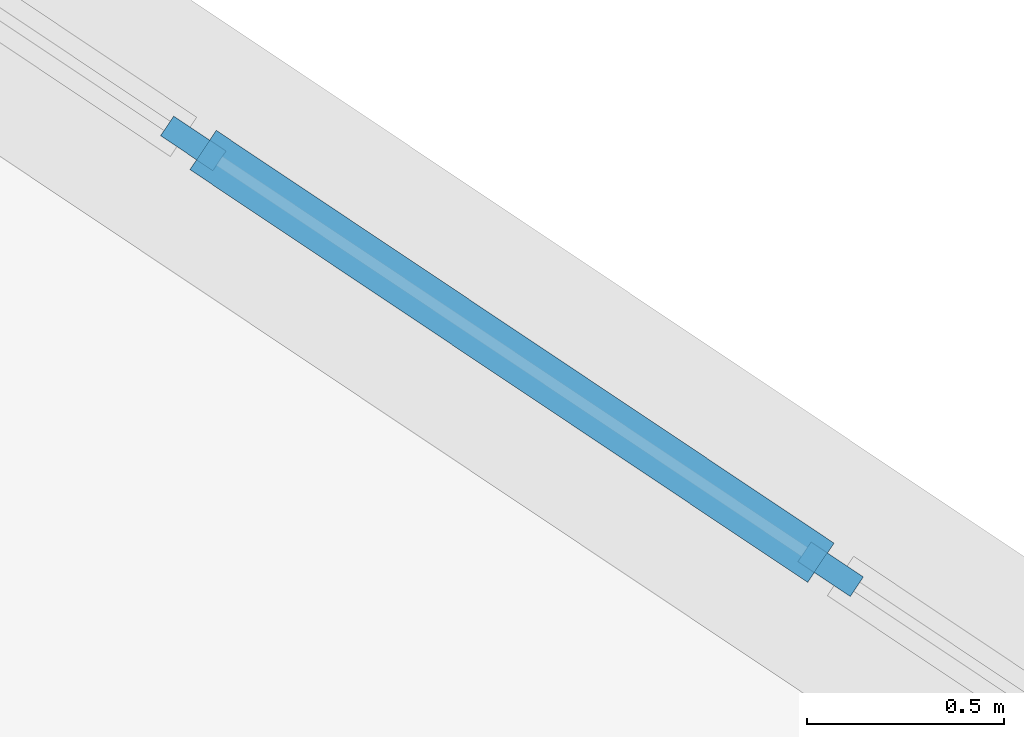
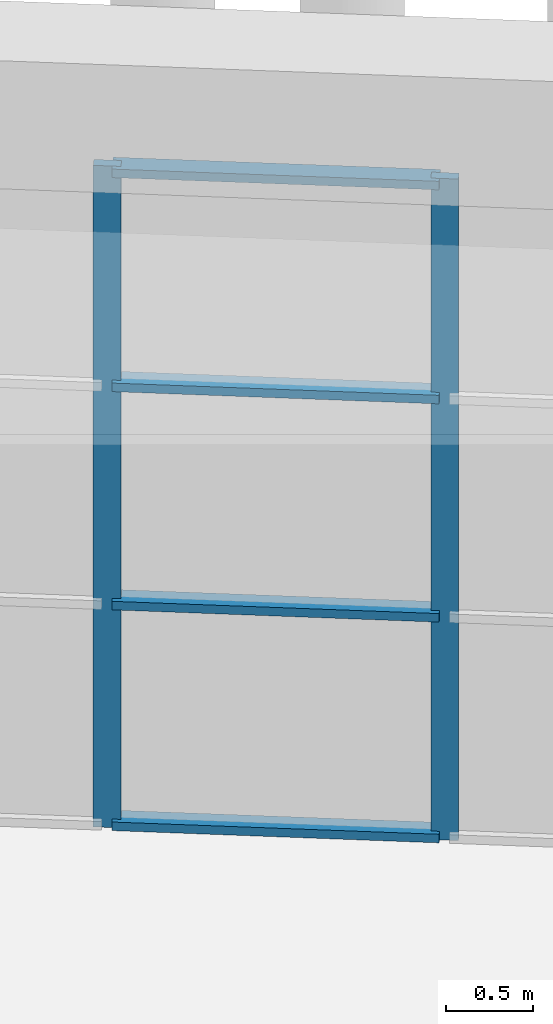
# One storey, part 94 of 226: 6 members, 1 element without a shape of its own.
"""IFC4 building model written with IfcOpenShell, lengths in metres."""

from ifc_helpers import new_model, si_unit, direction, frame, origin, origin_2d, place, context, subcontext, project, spatial, rectangle, extrude, material, material_profile, profile_set, type_object, element, aggregate, save


model = new_model("IFC4")

# Units and contexts
model_context = context("Model", 3, precision=1e-05, world=origin(), true_north=direction((0.0, 1.0)))
body_context = subcontext(model_context, "Body", "Model", "MODEL_VIEW")
ifc_project = project(units=[si_unit("LENGTHUNIT", "METRE"), si_unit("AREAUNIT", "SQUARE_METRE"), si_unit("VOLUMEUNIT", "CUBIC_METRE"), si_unit("PLANEANGLEUNIT", "RADIAN"), si_unit("MASSUNIT", "GRAM", prefix="KILO")], contexts=[model_context])

# Site, building, storey
site_placement = place(None, origin())
site = spatial("IfcSite", under=ifc_project, at=site_placement, CompositionType="ELEMENT")
building_placement = place(site_placement, origin())
building = spatial("IfcBuilding", under=site, at=building_placement, Name="Ceibo Conservatory and Research Tower", CompositionType="ELEMENT")
storey_placement = place(building_placement, origin())
storey = spatial("IfcBuildingStorey", under=building, at=storey_placement, Name="L00", CompositionType="ELEMENT", Elevation=0.0)

# Curtain wall, members
ifc_material_1 = material(Name="Aluminium and glass", Category="aluminium")
curtain_wall_type = type_object("IfcCurtainWallType", Name="Pavilion curtain wall", PredefinedType="NOTDEFINED", material=ifc_material_1)
curtain_wall_placement = place(storey_placement, origin())
curtain_wall = element("IfcCurtainWall", 1, at=curtain_wall_placement, inside=storey, type_object=curtain_wall_type, Name="Pavilion curtain wall VC-CW03", PredefinedType="NOTDEFINED")
ifc_material_2 = material(Name="Aluminium", Category="aluminium")
ifc_material_profile_1 = material_profile(ifc_material_2, rectangle(XDim=0.06005859375, YDim=0.159912109375, at=origin_2d()), Name="AL 60x160")
ifc_profile_set_1 = profile_set([ifc_material_profile_1], Name="Aluminium")
member_type_1 = type_object("IfcMemberType", Name="Pavilion mullion 60x160", PredefinedType="MULLION", material=ifc_profile_set_1)
member_1_placement = place(storey_placement, frame((184.596435546875, 55.579833984375, 0.0), z_axis=(0.0, 0.0, 1.0), x_axis=(-0.555570267906, -0.831469588992, 0.0)))
member_1 = element("IfcMember", 2, at=member_1_placement, type_object=member_type_1, Name="VC-CW03 mullion 2", PredefinedType="MULLION", context=body_context, shape_type="SweptSolid", body=[
    extrude(rectangle(XDim=0.06005859375, YDim=0.159912109375, at=origin_2d()), origin(), (0.0, 0.0, 1.0), 4.64892578125),
])
member_2_placement = place(storey_placement, frame((182.97705078125, 56.661865234375, 0.0), z_axis=(0.0, 0.0, 1.0), x_axis=(-0.555570267906, -0.831469588992, 0.0)))
member_2 = element("IfcMember", 3, at=member_2_placement, type_object=member_type_1, Name="VC-CW03 mullion 3", PredefinedType="MULLION", context=body_context, shape_type="SweptSolid", body=[
    extrude(rectangle(XDim=0.06005859375, YDim=0.159912109375, at=origin_2d()), origin(), (0.0, 0.0, 1.0), 4.64892578125),
])
ifc_material_profile_2 = material_profile(ifc_material_2, rectangle(XDim=0.1201171875, YDim=0.06005859375, at=origin_2d()), Name="AL 60x120")
ifc_profile_set_2 = profile_set([ifc_material_profile_2], Name="Aluminium")
member_type_2 = type_object("IfcMemberType", Name="Pavilion transom 60x120", PredefinedType="USERDEFINED", material=ifc_profile_set_2)
member_3_placement = place(storey_placement, frame((184.571533203125, 55.596435546875, 0.030029296875), z_axis=(-0.831512654794, 0.555505809977, 0.0), x_axis=(-0.555505809977, -0.831512654794, 0.0)))
member_3 = element("IfcMember", 4, at=member_3_placement, type_object=member_type_2, Name="VC-CW03 transom 2.1", ObjectType="TRANSOM", PredefinedType="USERDEFINED", context=body_context, shape_type="SweptSolid", body=[
    extrude(rectangle(XDim=0.1201171875, YDim=0.06005859375, at=origin_2d()), origin(), (0.0, 0.0, 1.0), 1.8876953125),
])
member_4_placement = place(storey_placement, frame((184.571533203125, 55.596435546875, 1.5810546875), z_axis=(-0.831512654794, 0.555505809977, 0.0), x_axis=(-0.555505809977, -0.831512654794, 0.0)))
member_4 = element("IfcMember", 5, at=member_4_placement, type_object=member_type_2, Name="VC-CW03 transom 2.2", ObjectType="TRANSOM", PredefinedType="USERDEFINED", context=body_context, shape_type="SweptSolid", body=[
    extrude(rectangle(XDim=0.1201171875, YDim=0.06005859375, at=origin_2d()), origin(), (0.0, 0.0, 1.0), 1.8876953125),
])
member_5_placement = place(storey_placement, frame((184.571533203125, 55.596435546875, 3.114990234375), z_axis=(-0.831512654794, 0.555505809977, 0.0), x_axis=(-0.555505809977, -0.831512654794, 0.0)))
member_5 = element("IfcMember", 6, at=member_5_placement, type_object=member_type_2, Name="VC-CW03 transom 2.3", ObjectType="TRANSOM", PredefinedType="USERDEFINED", context=body_context, shape_type="SweptSolid", body=[
    extrude(rectangle(XDim=0.1201171875, YDim=0.06005859375, at=origin_2d()), origin(), (0.0, 0.0, 1.0), 1.8876953125),
])
member_6_placement = place(storey_placement, frame((184.571533203125, 55.596435546875, 4.618896484375), z_axis=(-0.831512654794, 0.555505809977, 0.0), x_axis=(-0.555505809977, -0.831512654794, 0.0)))
member_6 = element("IfcMember", 7, at=member_6_placement, type_object=member_type_2, Name="VC-CW03 transom 2.4", ObjectType="TRANSOM", PredefinedType="USERDEFINED", context=body_context, shape_type="SweptSolid", body=[
    extrude(rectangle(XDim=0.1201171875, YDim=0.06005859375, at=origin_2d()), origin(), (0.0, 0.0, 1.0), 1.8876953125),
])
aggregate(curtain_wall, [member_1, member_2, member_3, member_4, member_5, member_6])

save(model, "model.ifc")
